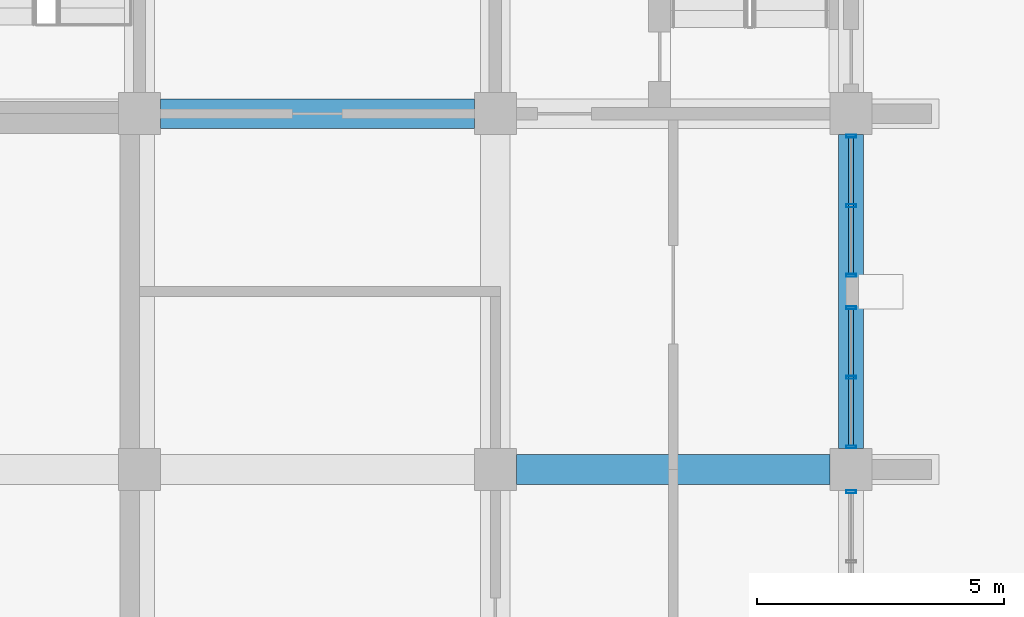
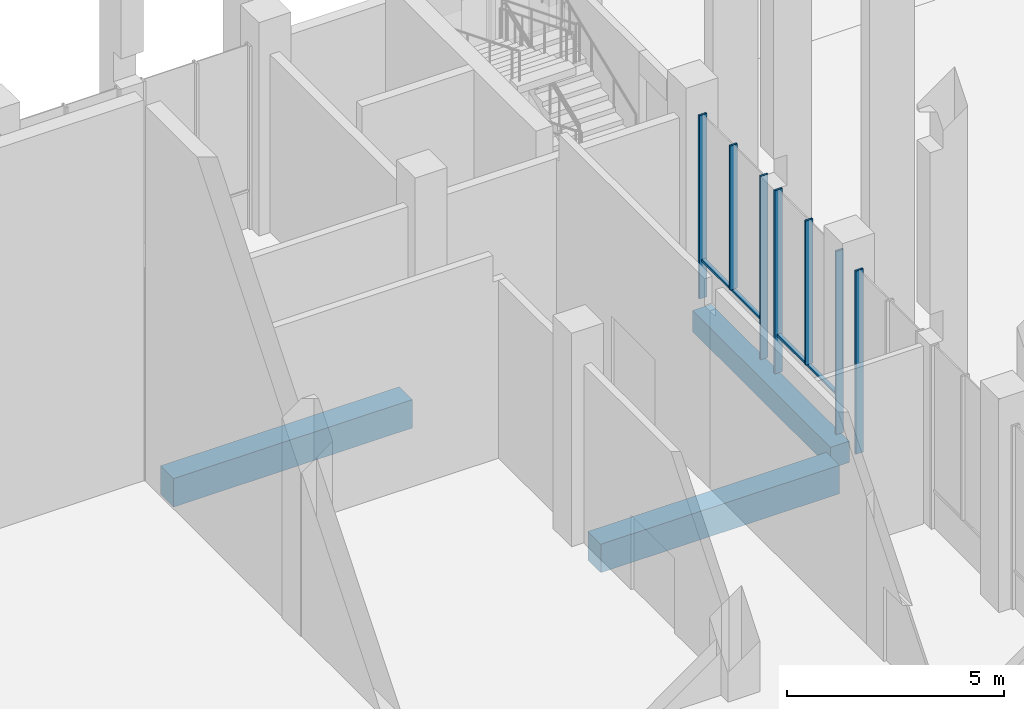
# One storey, part 24 of 50: 9 members, 3 beams, 3 elements without a shape of their own.
"""IFC4 building model written with IfcOpenShell, lengths in metres."""

import ifcopenshell
import ifcopenshell.guid

model = None  # the IFC model being written
_history = None  # IfcOwnerHistory: only IFC2X3 demands one
_inside = {}  # id of a spatial element -> (the spatial element, [elements in it])
_under = {}  # id of a project, library or spatial element -> (it, [spatial elements below it])
_declared = {}  # id of a project -> (the project, [libraries it declares])
_typed = {}  # id of a type object -> (the type object, [elements of that type])
_made_of = {}  # id of a material, layer set ... -> (it, [elements and type objects made of it])


def new_model(schema):
    """Start an empty IFC model of exactly this schema.

    Asked for "IFC4X3", IfcOpenShell would pick the latest addendum, in which some entities
    have other attributes; the version numbers below select the first issue.
    IFC2X3 requires an IfcOwnerHistory on every rooted entity: one is made here for all.
    """
    global model, _history
    if schema == "IFC4X3":
        model = ifcopenshell.file(schema_version=(4, 3, 0, 0))
    else:
        model = ifcopenshell.file(schema=schema)
    _inside.clear()
    _under.clear()
    _declared.clear()
    _typed.clear()
    _made_of.clear()
    _history = None
    if model.schema == "IFC2X3":
        org = make("IfcOrganization", Name="unknown")
        user = make(
            "IfcPersonAndOrganization",
            ThePerson=make("IfcPerson", FamilyName="unknown"),
            TheOrganization=org,
        )
        app = make(
            "IfcApplication",
            ApplicationDeveloper=org,
            Version="unknown",
            ApplicationFullName="unknown",
            ApplicationIdentifier="unknown",
        )
        _history = make(
            "IfcOwnerHistory",
            OwningUser=user,
            OwningApplication=app,
            ChangeAction="ADDED",
            CreationDate=0,
        )
    return model


def make(cls, **values):
    """One entity of the class cls with the attributes given. An attribute that is None is left unset."""
    return model.create_entity(
        cls, **{name: value for name, value in values.items() if value is not None}
    )


def rooted(cls, **values):
    """An entity with a GlobalId (a new one), such as an element, a storey or a relation."""
    return make(cls, GlobalId=ifcopenshell.guid.new(), OwnerHistory=_history, **values)


def si_unit(unit_type, name, prefix=None):
    """IfcSIUnit, for example si_unit("LENGTHUNIT", "METRE", prefix="MILLI")."""
    return make("IfcSIUnit", UnitType=unit_type, Prefix=prefix, Name=name)


def assignment(units):
    """IfcUnitAssignment: the units of a project."""
    return None if units is None else make("IfcUnitAssignment", Units=units)


def point(xyz):
    """IfcCartesianPoint."""
    return None if xyz is None else make("IfcCartesianPoint", Coordinates=xyz)


def direction(xyz):
    """IfcDirection."""
    return None if xyz is None else make("IfcDirection", DirectionRatios=xyz)


def frame(location, z_axis=None, x_axis=None):
    """IfcAxis2Placement3D, a coordinate frame: its origin and axes. An axis left out is left unset."""
    return make(
        "IfcAxis2Placement3D",
        Location=point(location),
        Axis=direction(z_axis),
        RefDirection=direction(x_axis),
    )


def frame_2d(location, x_axis=None):
    """IfcAxis2Placement2D, a coordinate frame in the plane: its origin and x axis."""
    return make(
        "IfcAxis2Placement2D", Location=point(location), RefDirection=direction(x_axis)
    )


def origin():
    """The frame at (0, 0, 0) with its axes left unset."""
    return frame((0.0, 0.0, 0.0))


def origin_2d():
    """The frame at (0, 0) in the plane with its x axis left unset."""
    return frame_2d((0.0, 0.0))


def place(relative_to, where):
    """IfcLocalPlacement: puts the frame where relative to a parent placement (None: the world)."""
    return make(
        "IfcLocalPlacement", PlacementRelTo=relative_to, RelativePlacement=where
    )


def context(
    kind, dimensions, precision=None, world=None, true_north=None, identifier=None
):
    """IfcGeometricRepresentationContext, for example the 3D "Model" context."""
    return make(
        "IfcGeometricRepresentationContext",
        ContextIdentifier=identifier,
        ContextType=kind,
        CoordinateSpaceDimension=dimensions,
        Precision=precision,
        WorldCoordinateSystem=world,
        TrueNorth=true_north,
    )


def subcontext(parent, identifier, kind, view, scale=None):
    """IfcGeometricRepresentationSubContext, for example "Body" below "Model"."""
    return make(
        "IfcGeometricRepresentationSubContext",
        ContextIdentifier=identifier,
        ContextType=kind,
        ParentContext=parent,
        TargetScale=scale,
        TargetView=view,
    )


def project(units=None, contexts=None):
    """IfcProject with its units and contexts."""
    return rooted(
        "IfcProject",
        Name="project",
        RepresentationContexts=contexts,
        UnitsInContext=assignment(units),
    )


def spatial(cls, under=None, at=None, **own):
    """A site, building, storey or space (cls), placed at a placement, below another one or the project."""
    s = rooted(cls, ObjectPlacement=at, **own)
    if under is not None:
        _under.setdefault(under.id(), (under, []))[1].append(s)
    return s


def profile(cls, at=None, kind="AREA", **sizes):
    """A parametric profile (cls). Its sizes go by their IFC names, for example OverallWidth=200.0."""
    return make(cls, ProfileType=kind, Position=at, **sizes)


def rectangle(**sizes):
    """IfcRectangleProfileDef."""
    return profile("IfcRectangleProfileDef", **sizes)


def hollow_rectangle(**sizes):
    """IfcRectangleHollowProfileDef."""
    return profile("IfcRectangleHollowProfileDef", **sizes)


def extrude(swept, where, along, depth):
    """IfcExtrudedAreaSolid: the profile swept, set in the frame where, extruded along a direction by depth."""
    return make(
        "IfcExtrudedAreaSolid",
        SweptArea=swept,
        Position=where,
        ExtrudedDirection=direction(along),
        Depth=depth,
    )


def shape(context_of_items, identifier, shape_type, items):
    """IfcShapeRepresentation: the items that make up one representation, for example the "Body"."""
    return make(
        "IfcShapeRepresentation",
        ContextOfItems=context_of_items,
        RepresentationIdentifier=identifier,
        RepresentationType=shape_type,
        Items=items,
    )


def material(Name=None, Category=None):
    """IfcMaterial."""
    return make("IfcMaterial", Name=Name, Category=Category)


def material_profile(
    of_material, cross_section, Name=None, Category=None, Priority=None
):
    """IfcMaterialProfile: a cross section and its material."""
    return make(
        "IfcMaterialProfile",
        Name=Name,
        Material=of_material,
        Profile=cross_section,
        Priority=Priority,
        Category=Category,
    )


def profile_set(profiles, Name=None, composite=None):
    """IfcMaterialProfileSet."""
    return make(
        "IfcMaterialProfileSet",
        Name=Name,
        MaterialProfiles=profiles,
        CompositeProfile=composite,
    )


def made_of(thing, what):
    """Note that an element or type object is made of a material, layer set ...; save() writes the relation."""
    if what is not None:
        _made_of.setdefault(what.id(), (what, []))[1].append(thing)
    return thing


def type_object(cls, material=None, **own):
    """A type object (cls), such as IfcWallType, which elements share."""
    return made_of(rooted(cls, **own), material)


def element(
    cls,
    number,
    at=None,
    inside=None,
    cuts=None,
    type_object=None,
    material=None,
    context=None,
    identifier="Body",
    shape_type=None,
    held_by="IfcProductDefinitionShape",
    body=None,
    shapes=None,
    **own,
):
    """One element of the class cls, such as IfcWall. Its Tag is "e" and its number.

    at: its placement. inside: the storey or other place that contains it. cuts: it is an
    opening in that element (IfcRelVoidsElement). A single representation is given by context,
    identifier, shape_type and body (its items); several are given by shapes. held_by: the class
    of the entity that holds the representations. save() writes the other relations.
    """
    e = rooted(cls, Tag="e%d" % number, ObjectPlacement=at, **own)
    if body is not None:
        shapes = [shape(context, identifier, shape_type, body)]
    if shapes is not None:
        e.Representation = make(held_by, Representations=shapes)
    if inside is not None:
        _inside.setdefault(inside.id(), (inside, []))[1].append(e)
    if cuts is not None:
        rooted(
            "IfcRelVoidsElement", RelatingBuildingElement=cuts, RelatedOpeningElement=e
        )
    if type_object is not None:
        _typed.setdefault(type_object.id(), (type_object, []))[1].append(e)
    return made_of(e, material)


def aggregate(whole, parts):
    """IfcRelAggregates: a whole, such as a stair, and the parts it consists of."""
    return rooted("IfcRelAggregates", RelatingObject=whole, RelatedObjects=parts)


def save(model, path):
    """Write the relations noted so far, then the file.

    IfcRelAggregates (storeys below a building ...), IfcRelContainedInSpatialStructure (elements
    in a storey), IfcRelDefinesByType, IfcRelAssociatesMaterial and IfcRelDeclares: one each for
    every whole, place, type object, material and project.
    """
    for whole, parts in _under.values():
        aggregate(whole, parts)
    for where, things in _inside.values():
        rooted(
            "IfcRelContainedInSpatialStructure",
            RelatedElements=things,
            RelatingStructure=where,
        )
    for kind, things in _typed.values():
        rooted("IfcRelDefinesByType", RelatedObjects=things, RelatingType=kind)
    for what, things in _made_of.values():
        rooted("IfcRelAssociatesMaterial", RelatedObjects=things, RelatingMaterial=what)
    for by, libraries in _declared.values():
        rooted("IfcRelDeclares", RelatingContext=by, RelatedDefinitions=libraries)
    model.write(path)


model = new_model("IFC4")

# Units and contexts
model_context = context("Model", 3, precision=1e-05, world=origin(), true_north=direction((0.0, 1.0)))
body_context = subcontext(model_context, "Body", "Model", "MODEL_VIEW")
ifc_project = project(units=[si_unit("LENGTHUNIT", "METRE"), si_unit("AREAUNIT", "SQUARE_METRE"), si_unit("VOLUMEUNIT", "CUBIC_METRE"), si_unit("PLANEANGLEUNIT", "RADIAN"), si_unit("MASSUNIT", "GRAM", prefix="KILO")], contexts=[model_context])

# Site, building, storey
site_placement = place(None, origin())
site = spatial("IfcSite", under=ifc_project, at=site_placement, CompositionType="ELEMENT")
building_placement = place(site_placement, origin())
building = spatial("IfcBuilding", under=site, at=building_placement, Name="Silangan Lancet Faculty of Sciences", CompositionType="ELEMENT")
storey_placement = place(building_placement, origin())
storey = spatial("IfcBuildingStorey", under=building, at=storey_placement, Name="L00", CompositionType="ELEMENT", Elevation=0.0)

# Beams
ifc_material_1 = material(Name="Concrete C40/50", Category="concrete")
ifc_material_profile_1 = material_profile(ifc_material_1, rectangle(XDim=0.5, YDim=0.60009765625, at=origin_2d()), Name="RC 500x600")
ifc_profile_set_1 = profile_set([ifc_material_profile_1], Name="Concrete C40/50")
beam_type_1 = type_object("IfcBeamType", Name="BEAM RC 500x600", PredefinedType="BEAM", material=ifc_profile_set_1)
beam_1_placement = place(storey_placement, frame((86.39990234375, 43.625, -0.60009765625), z_axis=(0.0, 1.0, 0.0), x_axis=(-1.0, 0.0, 0.0)))
element("IfcBeam", 1, at=beam_1_placement, inside=storey, type_object=beam_type_1, Name="BM-L00-13G-13H", PredefinedType="BEAM", context=body_context, shape_type="SweptSolid", body=[
    extrude(rectangle(XDim=0.5, YDim=0.60009765625, at=origin_2d()), origin(), (0.0, 0.0, 1.0), 6.35009765625),
])
ifc_material_2 = material(Name="Concrete C40/50", Category="concrete")
ifc_material_profile_2 = material_profile(ifc_material_2, rectangle(XDim=0.60009765625, YDim=0.800048828125, at=origin_2d()), Name="RC 600x800")
ifc_profile_set_2 = profile_set([ifc_material_profile_2], Name="Concrete C40/50")
beam_type_2 = type_object("IfcBeamType", Name="BEAM RC 600x800", PredefinedType="BEAM", material=ifc_profile_set_2)
beam_2_placement = place(storey_placement, frame((79.625, 43.199951171875, -0.699951171875), z_axis=(1.0, 0.0, 0.0), x_axis=(0.0, 1.0, 0.0)))
element("IfcBeam", 2, at=beam_2_placement, inside=storey, type_object=beam_type_2, Name="BM-L00-12G-13G", PredefinedType="BEAM", context=body_context, shape_type="SweptSolid", body=[
    extrude(rectangle(XDim=0.60009765625, YDim=0.800048828125, at=origin_2d()), origin(), (0.0, 0.0, 1.0), 6.35009765625),
])
beam_3_placement = place(storey_placement, frame((72.425048828125, 50.39990234375, -0.699951171875), z_axis=(1.0, 0.0, 0.0), x_axis=(0.0, 1.0, 0.0)))
element("IfcBeam", 3, at=beam_3_placement, inside=storey, type_object=beam_type_2, Name="BM-L00-11H-12H", PredefinedType="BEAM", context=body_context, shape_type="SweptSolid", body=[
    extrude(rectangle(XDim=0.60009765625, YDim=0.800048828125, at=origin_2d()), origin(), (0.0, 0.0, 1.0), 6.349853515625),
])

# Curtain wall, member
ifc_material_3 = material(Name="Aluminium framed curtain wall with insulated glass", Category="aluminium")
curtain_wall_type = type_object("IfcCurtainWallType", Name="CW1 Commons and east block glazing", PredefinedType="NOTDEFINED", material=ifc_material_3)
curtain_wall_1_placement = place(storey_placement, origin())
curtain_wall_1 = element("IfcCurtainWall", 4, at=curtain_wall_1_placement, inside=storey, type_object=curtain_wall_type, Name="CW1 East commons L00 bay 10", PredefinedType="NOTDEFINED")
ifc_material_4 = material(Name="Aluminium 6063-T6 extrusion", Category="aluminium")
ifc_material_profile_3 = material_profile(ifc_material_4, hollow_rectangle(XDim=0.06005859375, YDim=0.199951171875, WallThickness=0.00390625, at=origin_2d()), Name="AL BOX 60x200x4")
ifc_profile_set_3 = profile_set([ifc_material_profile_3], Name="Aluminium 6063-T6 extrusion")
member_type_1 = type_object("IfcMemberType", Name="CM1 Mullion 60x200", PredefinedType="MULLION", material=ifc_profile_set_3)
member_1_placement = place(storey_placement, frame((86.39990234375, 42.7451171875, 0.0), z_axis=(0.0, 0.0, 1.0), x_axis=(0.0, 1.0, 0.0)))
member_1 = element("IfcMember", 5, at=member_1_placement, type_object=member_type_1, Name="CW1 East commons L00 bay 10 mullion 2", PredefinedType="MULLION", context=body_context, shape_type="SweptSolid", body=[
    extrude(hollow_rectangle(XDim=0.06005859375, YDim=0.199951171875, WallThickness=0.00390625, at=origin_2d()), origin(), (0.0, 0.0, 1.0), 5.14990234375),
])
aggregate(curtain_wall_1, [member_1])

# Curtain wall, members
curtain_wall_2_placement = place(storey_placement, origin())
curtain_wall_2 = element("IfcCurtainWall", 6, at=curtain_wall_2_placement, inside=storey, type_object=curtain_wall_type, Name="CW1 East commons L00 bay 11", PredefinedType="NOTDEFINED")
member_2_placement = place(storey_placement, frame((86.39990234375, 43.655029296875, 0.0), z_axis=(0.0, 0.0, 1.0), x_axis=(0.0, 1.0, 0.0)))
member_2 = element("IfcMember", 7, at=member_2_placement, type_object=member_type_1, Name="CW1 East commons L00 bay 11 mullion 1", PredefinedType="MULLION", context=body_context, shape_type="SweptSolid", body=[
    extrude(hollow_rectangle(XDim=0.06005859375, YDim=0.199951171875, WallThickness=0.00390625, at=origin_2d()), origin(), (0.0, 0.0, 1.0), 5.14990234375),
])
member_3_placement = place(storey_placement, frame((86.39990234375, 46.469970703125, 0.0), z_axis=(0.0, 0.0, 1.0), x_axis=(0.0, 1.0, 0.0)))
member_3 = element("IfcMember", 8, at=member_3_placement, type_object=member_type_1, Name="CW1 East commons L00 bay 11 mullion 2", PredefinedType="MULLION", context=body_context, shape_type="SweptSolid", body=[
    extrude(hollow_rectangle(XDim=0.06005859375, YDim=0.199951171875, WallThickness=0.00390625, at=origin_2d()), origin(), (0.0, 0.0, 1.0), 5.14990234375),
])
member_4_placement = place(storey_placement, frame((86.39990234375, 45.0625, 1.10009765625), z_axis=(0.0, 0.0, 1.0), x_axis=(0.0, 1.0, 0.0)))
member_4 = element("IfcMember", 9, at=member_4_placement, type_object=member_type_1, Name="CW1 East commons L00 bay 11 mullion 3", PredefinedType="MULLION", context=body_context, shape_type="SweptSolid", body=[
    extrude(hollow_rectangle(XDim=0.06005859375, YDim=0.199951171875, WallThickness=0.00390625, at=origin_2d()), origin(), (0.0, 0.0, 1.0), 4.0498046875),
])

curtain_wall_3_placement = place(storey_placement, origin())
curtain_wall_3 = element("IfcCurtainWall", 10, at=curtain_wall_3_placement, inside=storey, type_object=curtain_wall_type, Name="CW1 East commons L00 bay 12", PredefinedType="NOTDEFINED")
member_5_placement = place(storey_placement, frame((86.39990234375, 47.1298828125, 0.0), z_axis=(0.0, 0.0, 1.0), x_axis=(0.0, 1.0, 0.0)))
member_5 = element("IfcMember", 11, at=member_5_placement, type_object=member_type_1, Name="CW1 East commons L00 bay 12 mullion 1", PredefinedType="MULLION", context=body_context, shape_type="SweptSolid", body=[
    extrude(hollow_rectangle(XDim=0.06005859375, YDim=0.199951171875, WallThickness=0.00390625, at=origin_2d()), origin(), (0.0, 0.0, 1.0), 5.14990234375),
])
member_6_placement = place(storey_placement, frame((86.39990234375, 49.945068359375, 0.0), z_axis=(0.0, 0.0, 1.0), x_axis=(0.0, 1.0, 0.0)))
member_6 = element("IfcMember", 12, at=member_6_placement, type_object=member_type_1, Name="CW1 East commons L00 bay 12 mullion 2", PredefinedType="MULLION", context=body_context, shape_type="SweptSolid", body=[
    extrude(hollow_rectangle(XDim=0.06005859375, YDim=0.199951171875, WallThickness=0.00390625, at=origin_2d()), origin(), (0.0, 0.0, 1.0), 5.14990234375),
])
member_7_placement = place(storey_placement, frame((86.39990234375, 48.53759765625, 1.10009765625), z_axis=(0.0, 0.0, 1.0), x_axis=(0.0, 1.0, 0.0)))
member_7 = element("IfcMember", 13, at=member_7_placement, type_object=member_type_1, Name="CW1 East commons L00 bay 12 mullion 3", PredefinedType="MULLION", context=body_context, shape_type="SweptSolid", body=[
    extrude(hollow_rectangle(XDim=0.06005859375, YDim=0.199951171875, WallThickness=0.00390625, at=origin_2d()), origin(), (0.0, 0.0, 1.0), 4.0498046875),
])

# Member
ifc_material_5 = material(Name="Aluminium 6063-T6 extrusion", Category="aluminium")
ifc_material_profile_4 = material_profile(ifc_material_5, hollow_rectangle(XDim=0.10009765625, YDim=0.06005859375, WallThickness=0.0029296875, at=origin_2d()), Name="AL BOX 100x60x3")
ifc_profile_set_4 = profile_set([ifc_material_profile_4], Name="Aluminium 6063-T6 extrusion")
member_type_2 = type_object("IfcMemberType", Name="CT1 Transom 100x60", PredefinedType="USERDEFINED", material=ifc_profile_set_4)
member_8_placement = place(storey_placement, frame((86.39990234375, 43.68505859375, 1.070068359375), z_axis=(0.0, 1.0, 0.0), x_axis=(-1.0, 0.0, 0.0)))
member_8 = element("IfcMember", 14, at=member_8_placement, type_object=member_type_2, Name="CW1 East commons L00 bay 11 transom 1", ObjectType="TRANSOM", PredefinedType="USERDEFINED", context=body_context, shape_type="SweptSolid", body=[
    extrude(hollow_rectangle(XDim=0.10009765625, YDim=0.06005859375, WallThickness=0.0029296875, at=origin_2d()), origin(), (0.0, 0.0, 1.0), 2.7548828125),
])

aggregate(curtain_wall_2, [member_2, member_3, member_4, member_8])

member_9_placement = place(storey_placement, frame((86.39990234375, 47.159912109375, 1.070068359375), z_axis=(0.0, 1.0, 0.0), x_axis=(-1.0, 0.0, 0.0)))
member_9 = element("IfcMember", 15, at=member_9_placement, type_object=member_type_2, Name="CW1 East commons L00 bay 12 transom 1", ObjectType="TRANSOM", PredefinedType="USERDEFINED", context=body_context, shape_type="SweptSolid", body=[
    extrude(hollow_rectangle(XDim=0.10009765625, YDim=0.06005859375, WallThickness=0.0029296875, at=origin_2d()), origin(), (0.0, 0.0, 1.0), 2.755126953125),
])

aggregate(curtain_wall_3, [member_5, member_6, member_7, member_9])

save(model, "model.ifc")
